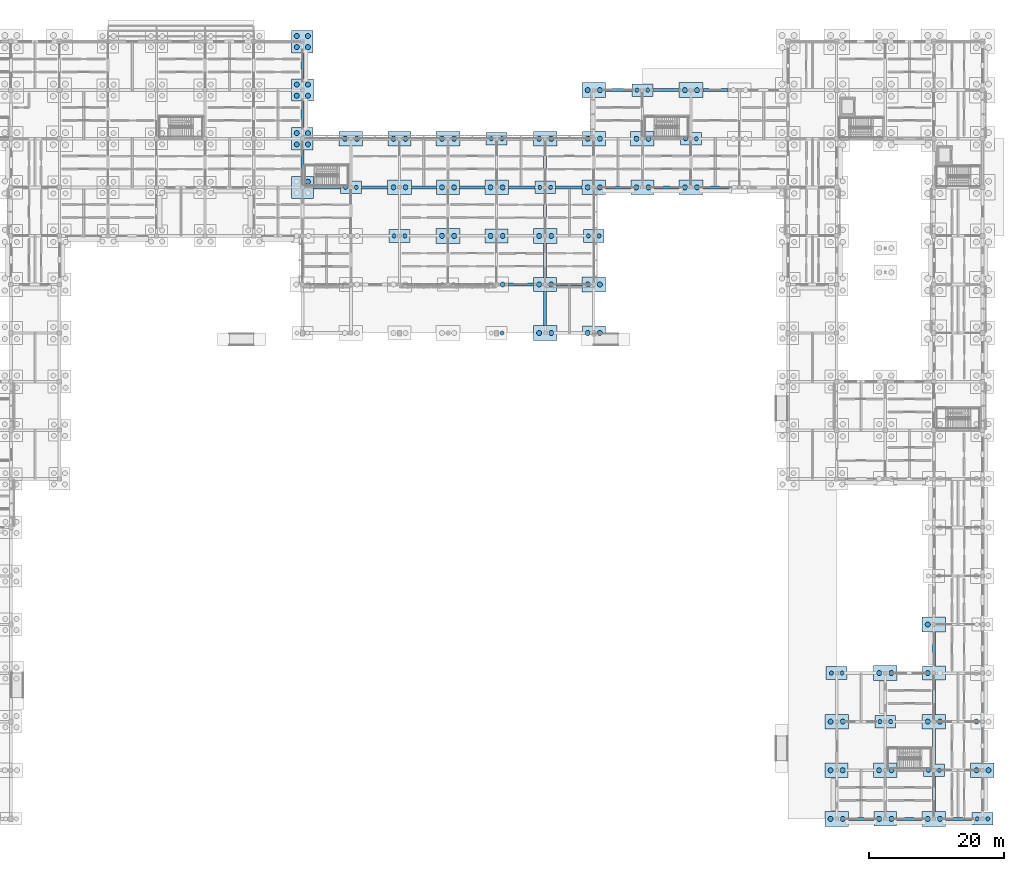
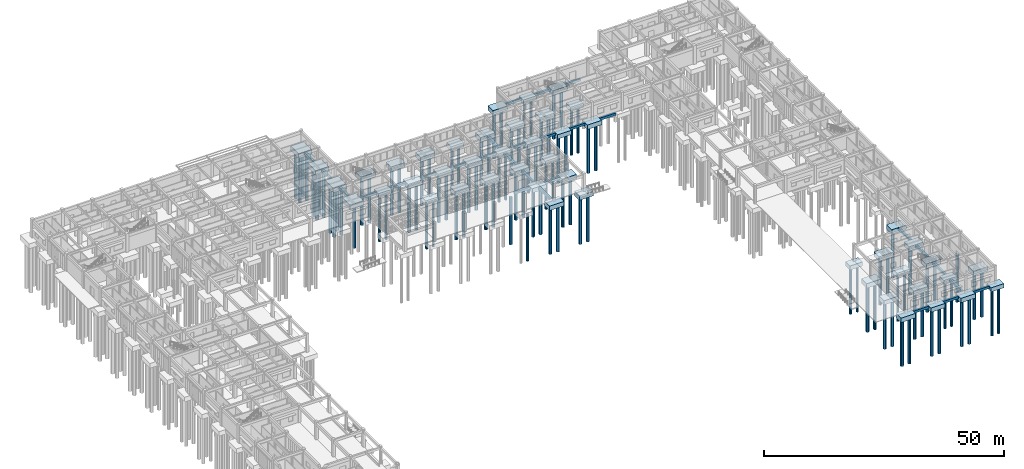
# One storey, part 4 of 111: 100 piles, 75 footings.
"""IFC4 building model written with IfcOpenShell, lengths in metres."""

from ifc_helpers import new_model, si_unit, direction, frame, origin, origin_2d, place, context, subcontext, project, spatial, rectangle, circle, extrude, material, layer, layer_set, material_profile, profile_set, type_object, element, save


model = new_model("IFC4")

# Units and contexts
model_context = context("Model", 3, precision=1e-05, world=origin(), true_north=direction((0.0, 1.0)))
body_context = subcontext(model_context, "Body", "Model", "MODEL_VIEW")
ifc_project = project(units=[si_unit("LENGTHUNIT", "METRE"), si_unit("AREAUNIT", "SQUARE_METRE"), si_unit("VOLUMEUNIT", "CUBIC_METRE"), si_unit("PLANEANGLEUNIT", "RADIAN"), si_unit("MASSUNIT", "GRAM", prefix="KILO")], contexts=[model_context])

# Site, building, storey
site_placement = place(None, origin())
site = spatial("IfcSite", under=ifc_project, at=site_placement, CompositionType="ELEMENT")
building_placement = place(site_placement, origin())
building = spatial("IfcBuilding", under=site, at=building_placement, Name="Aldebral Square Health Centre", CompositionType="ELEMENT")
storey_placement = place(building_placement, origin())
storey = spatial("IfcBuildingStorey", under=building, at=storey_placement, Name="L00", CompositionType="ELEMENT", Elevation=0.0)

# Footings
ifc_material = material(Name="Concrete C35/45", Category="concrete")
ifc_layer_1 = layer(ifc_material, 1.14990234375, Name="Concrete C35/45", Category="concrete")
ifc_layer_set_1 = layer_set([ifc_layer_1], Name="Concrete C35/45")
footing_type_1 = type_object("IfcFootingType", Name="FT-PC2A", PredefinedType="PILE_CAP", material=ifc_layer_set_1)
for number, where, z_axis, x_axis, name in (
    (1, (72.0, 100.800048828125, -1.39990234375), (0.0, 0.0, 1.0), (1.0, 0.0, 0.0), "Pile cap PC7 at 11/15"),
    (2, (79.199951171875, 93.60009765625, -1.39990234375), (0.0, 0.0, 1.0), (1.0, 0.0, 0.0), "Pile cap PC7 at 12/14"),
    (3, (86.39990234375, 86.39990234375, -1.39990234375), (0.0, 0.0, 1.0), (1.0, 0.0, 0.0), "Pile cap PC7 at 13/13"),
    (4, (86.39990234375, 100.800048828125, -1.39990234375), (0.0, 0.0, 1.0), (1.0, 0.0, 0.0), "Pile cap PC7 at 13/15"),
    (5, (93.60009765625, 93.60009765625, -1.39990234375), (0.0, 0.0, 1.0), (1.0, 0.0, 0.0), "Pile cap PC7 at 14/14"),
    (6, (100.800048828125, 72.0, -1.39990234375), (0.0, 0.0, 1.0), (1.0, 0.0, 0.0), "Pile cap PC7 at 15/11"),
    (7, (100.800048828125, 86.39990234375, -1.39990234375), (0.0, 0.0, 1.0), (1.0, 0.0, 0.0), "Pile cap PC7 at 15/13"),
    (8, (100.800048828125, 100.800048828125, -1.39990234375), (0.0, 0.0, 1.0), (1.0, 0.0, 0.0), "Pile cap PC7 at 15/15"),
    (9, (108.0, 79.199951171875, -1.39990234375), (0.0, 0.0, 1.0), (1.0, 0.0, 0.0), "Pile cap PC7 at 16/12"),
    (10, (108.0, 93.60009765625, -1.39990234375), (0.0, 0.0, 1.0), (1.0, 0.0, 0.0), "Pile cap PC7 at 16/14"),
    (11, (108.0, 108.0, -1.39990234375), (0.0, 0.0, 1.0), (1.0, 0.0, 0.0), "Pile cap PC7 at 16/16"),
    (12, (115.199951171875, 100.800048828125, -1.39990234375), (0.0, 0.0, 1.0), (1.0, 0.0, 0.0), "Pile cap PC7 at 17/15"),
    (13, (122.39990234375, 93.60009765625, -1.39990234375), (0.0, 0.0, 1.0), (1.0, 0.0, 0.0), "Pile cap PC7 at 18/14"),
    (14, (122.39990234375, 108.0, -1.39990234375), (0.0, 0.0, 1.0), (1.0, 0.0, 0.0), "Pile cap PC7 at 18/16"),
    (15, (144.0, 0.0, -1.39990234375), (0.0, 0.0, 1.0), (1.0, 0.0, 0.0), "Pile cap PC7 at 21/1"),
    (16, (144.0, 14.39990234375, -1.39990234375), (0.0, 0.0, 1.0), (1.0, 0.0, 0.0), "Pile cap PC7 at 21/3"),
    (17, (151.199951171875, 7.199951171875, -1.39990234375), (0.0, 0.0, 1.0), (1.0, 0.0, 0.0), "Pile cap PC7 at 22/2"),
    (18, (151.199951171875, 21.60009765625, -1.39990234375), (0.0, 0.0, 1.0), (1.0, 0.0, 0.0), "Pile cap PC7 at 22/4"),
    (19, (158.39990234375, 0.0, -1.39990234375), (0.0, 0.0, 1.0), (1.0, 0.0, 0.0), "Pile cap PC7 at 23/1"),
    (20, (158.39990234375, 14.39990234375, -1.39990234375), (0.0, 0.0, 1.0), (1.0, 0.0, 0.0), "Pile cap PC7 at 23/3"),
    (21, (158.39990234375, 28.800048828125, -1.39990234375), (0.0, 0.0, 1.0), (1.0, 0.0, 0.0), "Pile cap PC7 at 23/5"),
    (22, (165.60009765625, 7.199951171875, -1.39990234375), (0.0, 0.0, 1.0), (1.0, 0.0, 0.0), "Pile cap PC7 at 24/2"),
):
    element("IfcFooting", number, at=place(storey_placement, frame(where, z_axis=z_axis, x_axis=x_axis)), inside=storey, type_object=footing_type_1, Name=name, PredefinedType="PILE_CAP", context=body_context, shape_type="SweptSolid", body=[
        extrude(rectangle(XDim=3.5, YDim=2.199951171875, at=origin_2d()), origin(), (0.0, 0.0, 1.0), 1.14990234375),
    ])
ifc_layer_2 = layer(ifc_material, 1.10009765625, Name="Concrete C35/45", Category="concrete")
ifc_layer_set_2 = layer_set([ifc_layer_2], Name="Concrete C35/45")
footing_type_2 = type_object("IfcFootingType", Name="FT-PC2B", PredefinedType="PILE_CAP", material=ifc_layer_set_2)
for number, where, z_axis, x_axis, name in (
    (23, (79.199951171875, 100.800048828125, -1.35009765625), (0.0, 0.0, 1.0), (1.0, 0.0, 0.0), "Pile cap PC8 at 12/15"),
    (24, (86.39990234375, 93.60009765625, -1.35009765625), (0.0, 0.0, 1.0), (1.0, 0.0, 0.0), "Pile cap PC8 at 13/14"),
    (25, (93.60009765625, 86.39990234375, -1.35009765625), (0.0, 0.0, 1.0), (1.0, 0.0, 0.0), "Pile cap PC8 at 14/13"),
    (26, (100.800048828125, 79.199951171875, -1.35009765625), (0.0, 0.0, 1.0), (1.0, 0.0, 0.0), "Pile cap PC8 at 15/12"),
    (27, (108.0, 72.0, -1.35009765625), (0.0, 0.0, 1.0), (1.0, 0.0, 0.0), "Pile cap PC8 at 16/11"),
    (28, (108.0, 100.800048828125, -1.35009765625), (0.0, 0.0, 1.0), (1.0, 0.0, 0.0), "Pile cap PC8 at 16/15"),
    (29, (115.199951171875, 93.60009765625, -1.35009765625), (0.0, 0.0, 1.0), (1.0, 0.0, 0.0), "Pile cap PC8 at 17/14"),
    (30, (144.0, 7.199951171875, -1.35009765625), (0.0, 0.0, 1.0), (1.0, 0.0, 0.0), "Pile cap PC8 at 21/2"),
    (31, (151.199951171875, 0.0, -1.35009765625), (0.0, 0.0, 1.0), (1.0, 0.0, 0.0), "Pile cap PC8 at 22/1"),
    (32, (158.39990234375, 21.60009765625, -1.35009765625), (0.0, 0.0, 1.0), (1.0, 0.0, 0.0), "Pile cap PC8 at 23/4"),
):
    element("IfcFooting", number, at=place(storey_placement, frame(where, z_axis=z_axis, x_axis=x_axis)), inside=storey, type_object=footing_type_2, Name=name, PredefinedType="PILE_CAP", context=body_context, shape_type="SweptSolid", body=[
        extrude(rectangle(XDim=3.39990234375, YDim=2.10009765625, at=origin_2d()), origin(), (0.0, 0.0, 1.0), 1.10009765625),
    ])
ifc_layer_3 = layer(ifc_material, 1.050048828125, Name="Concrete C35/45", Category="concrete")
ifc_layer_set_3 = layer_set([ifc_layer_3], Name="Concrete C35/45")
footing_type_3 = type_object("IfcFootingType", Name="FT-PC2D", PredefinedType="PILE_CAP", material=ifc_layer_set_3)
for number, where, z_axis, x_axis, name in (
    (33, (72.0, 93.60009765625, -1.2998046875), (0.0, 0.0, 1.0), (1.0, 0.0, 0.0), "Pile cap PC10 at 11/14"),
    (34, (79.199951171875, 86.39990234375, -1.2998046875), (0.0, 0.0, 1.0), (1.0, 0.0, 0.0), "Pile cap PC10 at 12/13"),
    (35, (93.60009765625, 100.800048828125, -1.2998046875), (0.0, 0.0, 1.0), (1.0, 0.0, 0.0), "Pile cap PC10 at 14/15"),
    (36, (100.800048828125, 93.60009765625, -1.2998046875), (0.0, 0.0, 1.0), (1.0, 0.0, 0.0), "Pile cap PC10 at 15/14"),
    (37, (108.0, 86.39990234375, -1.2998046875), (0.0, 0.0, 1.0), (1.0, 0.0, 0.0), "Pile cap PC10 at 16/13"),
    (38, (115.199951171875, 108.0, -1.2998046875), (0.0, 0.0, 1.0), (1.0, 0.0, 0.0), "Pile cap PC10 at 17/16"),
    (39, (122.39990234375, 100.800048828125, -1.2998046875), (0.0, 0.0, 1.0), (1.0, 0.0, 0.0), "Pile cap PC10 at 18/15"),
    (40, (144.0, 21.60009765625, -1.2998046875), (0.0, 0.0, 1.0), (1.0, 0.0, 0.0), "Pile cap PC10 at 21/4"),
    (41, (151.199951171875, 14.39990234375, -1.2998046875), (0.0, 0.0, 1.0), (1.0, 0.0, 0.0), "Pile cap PC10 at 22/3"),
    (42, (158.39990234375, 7.199951171875, -1.2998046875), (0.0, 0.0, 1.0), (1.0, 0.0, 0.0), "Pile cap PC10 at 23/2"),
    (43, (165.60009765625, 0.0, -1.2998046875), (0.0, 0.0, 1.0), (1.0, 0.0, 0.0), "Pile cap PC10 at 24/1"),
):
    element("IfcFooting", number, at=place(storey_placement, frame(where, z_axis=z_axis, x_axis=x_axis)), inside=storey, type_object=footing_type_3, Name=name, PredefinedType="PILE_CAP", context=body_context, shape_type="SweptSolid", body=[
        extrude(rectangle(XDim=3.10009765625, YDim=1.89990234375, at=origin_2d()), origin(), (0.0, 0.0, 1.0), 1.050048828125),
    ])
ifc_layer_4 = layer(ifc_material, 1.14990234375, Name="Concrete C35/45", Category="concrete")
ifc_layer_set_4 = layer_set([ifc_layer_4], Name="Concrete C35/45")
footing_type_4 = type_object("IfcFootingType", Name="FT-PC4E", PredefinedType="PILE_CAP", material=ifc_layer_set_4)
for number, where, z_axis, x_axis, name in (
    (44, (64.800048828125, 93.60009765625, -1.39990234375), (0.0, 0.0, 1.0), (1.0, 0.0, 0.0), "Pile cap PC5 at 10/14"),
    (45, (64.800048828125, 108.0, -1.39990234375), (0.0, 0.0, 1.0), (1.0, 0.0, 0.0), "Pile cap PC5 at 10/16"),
):
    element("IfcFooting", number, at=place(storey_placement, frame(where, z_axis=z_axis, x_axis=x_axis)), inside=storey, type_object=footing_type_4, Name=name, PredefinedType="PILE_CAP", context=body_context, shape_type="SweptSolid", body=[
        extrude(rectangle(XDim=3.25, YDim=3.25, at=origin_2d()), origin(), (0.0, 0.0, 1.0), 1.14990234375),
    ])
ifc_layer_5 = layer(ifc_material, 1.14990234375, Name="Concrete C35/45", Category="concrete")
ifc_layer_set_5 = layer_set([ifc_layer_5], Name="Concrete C35/45")
footing_type_5 = type_object("IfcFootingType", Name="FT-PC4F", PredefinedType="PILE_CAP", material=ifc_layer_set_5)
for number, where, z_axis, x_axis, name in (
    (46, (64.800048828125, 100.800048828125, -1.39990234375), (0.0, 0.0, 1.0), (1.0, 0.0, 0.0), "Pile cap PC6 at 10/15"),
    (47, (64.800048828125, 115.199951171875, -1.39990234375), (0.0, 0.0, 1.0), (1.0, 0.0, 0.0), "Pile cap PC6 at 10/17"),
):
    element("IfcFooting", number, at=place(storey_placement, frame(where, z_axis=z_axis, x_axis=x_axis)), inside=storey, type_object=footing_type_5, Name=name, PredefinedType="PILE_CAP", context=body_context, shape_type="SweptSolid", body=[
        extrude(rectangle(XDim=3.14990234375, YDim=3.35009765625, at=origin_2d()), origin(), (0.0, 0.0, 1.0), 1.14990234375),
    ])
ifc_material_profile_1 = material_profile(ifc_material, rectangle(XDim=0.449951171875, YDim=0.60009765625, at=origin_2d()), Name="RC 450x600")
ifc_profile_set_1 = profile_set([ifc_material_profile_1], Name="Concrete C35/45")
footing_type_6 = type_object("IfcFootingType", Name="FT-TB1", PredefinedType="FOOTING_BEAM", material=ifc_profile_set_1)
footing_1_placement = place(storey_placement, frame((66.425048828125, 93.60009765625, -0.550048828125), z_axis=(1.0, 0.0, 0.0), x_axis=(0.0, 1.0, 0.0)))
element("IfcFooting", 48, at=footing_1_placement, inside=storey, type_object=footing_type_6, Name="Ground tie beam X 10-14", PredefinedType="FOOTING_BEAM", context=body_context, shape_type="SweptSolid", body=[
    extrude(rectangle(XDim=0.449951171875, YDim=0.60009765625, at=origin_2d()), origin(), (0.0, 0.0, 1.0), 4.02490234375),
])
for number, where, z_axis, x_axis, name in (
    (49, (64.800048828125, 95.22509765625, -0.550048828125), (0.0, 1.0, 0.0), (-1.0, 0.0, 0.0), "Ground tie beam Y 10-14"),
    (50, (64.800048828125, 102.47509765625, -0.550048828125), (0.0, 1.0, 0.0), (-1.0, 0.0, 0.0), "Ground tie beam Y 10-15"),
    (51, (64.800048828125, 109.625, -0.550048828125), (0.0, 1.0, 0.0), (-1.0, 0.0, 0.0), "Ground tie beam Y 10-16"),
    (52, (73.550048828125, 93.60009765625, -0.550048828125), (1.0, 0.0, 0.0), (0.0, 1.0, 0.0), "Ground tie beam X 11-14"),
):
    element("IfcFooting", number, at=place(storey_placement, frame(where, z_axis=z_axis, x_axis=x_axis)), inside=storey, type_object=footing_type_6, Name=name, PredefinedType="FOOTING_BEAM", context=body_context, shape_type="SweptSolid", body=[
        extrude(rectangle(XDim=0.449951171875, YDim=0.60009765625, at=origin_2d()), origin(), (0.0, 0.0, 1.0), 3.89990234375),
    ])
for number, where, z_axis, x_axis, name in (
    (53, (80.949951171875, 93.60009765625, -0.550048828125), (1.0, 0.0, 0.0), (0.0, 1.0, 0.0), "Ground tie beam X 12-14"),
    (54, (88.10009765625, 93.60009765625, -0.550048828125), (1.0, 0.0, 0.0), (0.0, 1.0, 0.0), "Ground tie beam X 13-14"),
    (55, (95.35009765625, 79.199951171875, -0.550048828125), (1.0, 0.0, 0.0), (0.0, 1.0, 0.0), "Ground tie beam X 14-12"),
):
    element("IfcFooting", number, at=place(storey_placement, frame(where, z_axis=z_axis, x_axis=x_axis)), inside=storey, type_object=footing_type_6, Name=name, PredefinedType="FOOTING_BEAM", context=body_context, shape_type="SweptSolid", body=[
        extrude(rectangle(XDim=0.449951171875, YDim=0.60009765625, at=origin_2d()), origin(), (0.0, 0.0, 1.0), 3.75),
    ])
footing_2_placement = place(storey_placement, frame((95.35009765625, 93.60009765625, -0.550048828125), z_axis=(1.0, 0.0, 0.0), x_axis=(0.0, 1.0, 0.0)))
element("IfcFooting", 56, at=footing_2_placement, inside=storey, type_object=footing_type_6, Name="Ground tie beam X 14-14", PredefinedType="FOOTING_BEAM", context=body_context, shape_type="SweptSolid", body=[
    extrude(rectangle(XDim=0.449951171875, YDim=0.60009765625, at=origin_2d()), origin(), (0.0, 0.0, 1.0), 3.89990234375),
])
footing_3_placement = place(storey_placement, frame((100.800048828125, 73.10009765625, -0.550048828125), z_axis=(0.0, 1.0, 0.0), x_axis=(-1.0, 0.0, 0.0)))
element("IfcFooting", 57, at=footing_3_placement, inside=storey, type_object=footing_type_6, Name="Ground tie beam Y 15-11", PredefinedType="FOOTING_BEAM", context=body_context, shape_type="SweptSolid", body=[
    extrude(rectangle(XDim=0.449951171875, YDim=0.60009765625, at=origin_2d()), origin(), (0.0, 0.0, 1.0), 5.0498046875),
])
footing_4_placement = place(storey_placement, frame((102.5, 79.199951171875, -0.550048828125), z_axis=(1.0, 0.0, 0.0), x_axis=(0.0, 1.0, 0.0)))
element("IfcFooting", 58, at=footing_4_placement, inside=storey, type_object=footing_type_6, Name="Ground tie beam X 15-12", PredefinedType="FOOTING_BEAM", context=body_context, shape_type="SweptSolid", body=[
    extrude(rectangle(XDim=0.449951171875, YDim=0.60009765625, at=origin_2d()), origin(), (0.0, 0.0, 1.0), 3.75),
])
footing_5_placement = place(storey_placement, frame((100.800048828125, 80.25, -0.550048828125), z_axis=(0.0, 1.0, 0.0), x_axis=(-1.0, 0.0, 0.0)))
element("IfcFooting", 59, at=footing_5_placement, inside=storey, type_object=footing_type_6, Name="Ground tie beam Y 15-12", PredefinedType="FOOTING_BEAM", context=body_context, shape_type="SweptSolid", body=[
    extrude(rectangle(XDim=0.449951171875, YDim=0.60009765625, at=origin_2d()), origin(), (0.0, 0.0, 1.0), 5.050048828125),
])
footing_6_placement = place(storey_placement, frame((100.800048828125, 87.5, -0.550048828125), z_axis=(0.0, 1.0, 0.0), x_axis=(-1.0, 0.0, 0.0)))
element("IfcFooting", 60, at=footing_6_placement, inside=storey, type_object=footing_type_6, Name="Ground tie beam Y 15-13", PredefinedType="FOOTING_BEAM", context=body_context, shape_type="SweptSolid", body=[
    extrude(rectangle(XDim=0.449951171875, YDim=0.60009765625, at=origin_2d()), origin(), (0.0, 0.0, 1.0), 5.14990234375),
])
footing_7_placement = place(storey_placement, frame((102.35009765625, 93.60009765625, -0.550048828125), z_axis=(1.0, 0.0, 0.0), x_axis=(0.0, 1.0, 0.0)))
element("IfcFooting", 61, at=footing_7_placement, inside=storey, type_object=footing_type_6, Name="Ground tie beam X 15-14", PredefinedType="FOOTING_BEAM", context=body_context, shape_type="SweptSolid", body=[
    extrude(rectangle(XDim=0.449951171875, YDim=0.60009765625, at=origin_2d()), origin(), (0.0, 0.0, 1.0), 3.89990234375),
])
footing_8_placement = place(storey_placement, frame((100.800048828125, 94.550048828125, -0.550048828125), z_axis=(0.0, 1.0, 0.0), x_axis=(-1.0, 0.0, 0.0)))
element("IfcFooting", 62, at=footing_8_placement, inside=storey, type_object=footing_type_6, Name="Ground tie beam Y 15-14", PredefinedType="FOOTING_BEAM", context=body_context, shape_type="SweptSolid", body=[
    extrude(rectangle(XDim=0.449951171875, YDim=0.60009765625, at=origin_2d()), origin(), (0.0, 0.0, 1.0), 5.14990234375),
])
footing_9_placement = place(storey_placement, frame((109.75, 93.60009765625, -0.550048828125), z_axis=(1.0, 0.0, 0.0), x_axis=(0.0, 1.0, 0.0)))
element("IfcFooting", 63, at=footing_9_placement, inside=storey, type_object=footing_type_6, Name="Ground tie beam X 16-14", PredefinedType="FOOTING_BEAM", context=body_context, shape_type="SweptSolid", body=[
    extrude(rectangle(XDim=0.449951171875, YDim=0.60009765625, at=origin_2d()), origin(), (0.0, 0.0, 1.0), 3.75),
])
footing_10_placement = place(storey_placement, frame((109.75, 108.0, -0.550048828125), z_axis=(1.0, 0.0, 0.0), x_axis=(0.0, 1.0, 0.0)))
element("IfcFooting", 64, at=footing_10_placement, inside=storey, type_object=footing_type_6, Name="Ground tie beam X 16-16", PredefinedType="FOOTING_BEAM", context=body_context, shape_type="SweptSolid", body=[
    extrude(rectangle(XDim=0.449951171875, YDim=0.60009765625, at=origin_2d()), origin(), (0.0, 0.0, 1.0), 3.89990234375),
])
footing_11_placement = place(storey_placement, frame((116.89990234375, 93.60009765625, -0.550048828125), z_axis=(1.0, 0.0, 0.0), x_axis=(0.0, 1.0, 0.0)))
element("IfcFooting", 65, at=footing_11_placement, inside=storey, type_object=footing_type_6, Name="Ground tie beam X 17-14", PredefinedType="FOOTING_BEAM", context=body_context, shape_type="SweptSolid", body=[
    extrude(rectangle(XDim=0.449951171875, YDim=0.60009765625, at=origin_2d()), origin(), (0.0, 0.0, 1.0), 3.75),
])
footing_12_placement = place(storey_placement, frame((116.75, 108.0, -0.550048828125), z_axis=(1.0, 0.0, 0.0), x_axis=(0.0, 1.0, 0.0)))
element("IfcFooting", 66, at=footing_12_placement, inside=storey, type_object=footing_type_6, Name="Ground tie beam X 17-16", PredefinedType="FOOTING_BEAM", context=body_context, shape_type="SweptSolid", body=[
    extrude(rectangle(XDim=0.449951171875, YDim=0.60009765625, at=origin_2d()), origin(), (0.0, 0.0, 1.0), 3.89990234375),
])
footing_13_placement = place(storey_placement, frame((124.14990234375, 93.60009765625, -0.550048828125), z_axis=(1.0, 0.0, 0.0), x_axis=(0.0, 1.0, 0.0)))
element("IfcFooting", 67, at=footing_13_placement, inside=storey, type_object=footing_type_6, Name="Ground tie beam X 18-14", PredefinedType="FOOTING_BEAM", context=body_context, shape_type="SweptSolid", body=[
    extrude(rectangle(XDim=0.449951171875, YDim=0.60009765625, at=origin_2d()), origin(), (0.0, 0.0, 1.0), 3.900146484375),
])
for number, where, z_axis, x_axis, name in (
    (68, (124.14990234375, 108.0, -0.550048828125), (1.0, 0.0, 0.0), (0.0, 1.0, 0.0), "Ground tie beam X 18-16"),
    (69, (145.75, 0.0, -0.550048828125), (1.0, 0.0, 0.0), (0.0, 1.0, 0.0), "Ground tie beam X 21-1"),
    (70, (152.89990234375, 0.0, -0.550048828125), (1.0, 0.0, 0.0), (0.0, 1.0, 0.0), "Ground tie beam X 22-1"),
):
    element("IfcFooting", number, at=place(storey_placement, frame(where, z_axis=z_axis, x_axis=x_axis)), inside=storey, type_object=footing_type_6, Name=name, PredefinedType="FOOTING_BEAM", context=body_context, shape_type="SweptSolid", body=[
        extrude(rectangle(XDim=0.449951171875, YDim=0.60009765625, at=origin_2d()), origin(), (0.0, 0.0, 1.0), 3.75),
    ])
footing_14_placement = place(storey_placement, frame((160.14990234375, 0.0, -0.550048828125), z_axis=(1.0, 0.0, 0.0), x_axis=(0.0, 1.0, 0.0)))
element("IfcFooting", 71, at=footing_14_placement, inside=storey, type_object=footing_type_6, Name="Ground tie beam X 23-1", PredefinedType="FOOTING_BEAM", context=body_context, shape_type="SweptSolid", body=[
    extrude(rectangle(XDim=0.449951171875, YDim=0.60009765625, at=origin_2d()), origin(), (0.0, 0.0, 1.0), 3.900146484375),
])
footing_15_placement = place(storey_placement, frame((158.39990234375, 1.10009765625, -0.550048828125), z_axis=(0.0, 1.0, 0.0), x_axis=(-1.0, 0.0, 0.0)))
element("IfcFooting", 72, at=footing_15_placement, inside=storey, type_object=footing_type_6, Name="Ground tie beam Y 23-1", PredefinedType="FOOTING_BEAM", context=body_context, shape_type="SweptSolid", body=[
    extrude(rectangle(XDim=0.449951171875, YDim=0.60009765625, at=origin_2d()), origin(), (0.0, 0.0, 1.0), 5.14990234375),
])
footing_16_placement = place(storey_placement, frame((158.39990234375, 8.14990234375, -0.550048828125), z_axis=(0.0, 1.0, 0.0), x_axis=(-1.0, 0.0, 0.0)))
element("IfcFooting", 73, at=footing_16_placement, inside=storey, type_object=footing_type_6, Name="Ground tie beam Y 23-2", PredefinedType="FOOTING_BEAM", context=body_context, shape_type="SweptSolid", body=[
    extrude(rectangle(XDim=0.449951171875, YDim=0.60009765625, at=origin_2d()), origin(), (0.0, 0.0, 1.0), 5.150146484375),
])
for number, where, z_axis, x_axis, name in (
    (74, (158.39990234375, 15.5, -0.550048828125), (0.0, 1.0, 0.0), (-1.0, 0.0, 0.0), "Ground tie beam Y 23-3"),
    (75, (158.39990234375, 22.64990234375, -0.550048828125), (0.0, 1.0, 0.0), (-1.0, 0.0, 0.0), "Ground tie beam Y 23-4"),
):
    element("IfcFooting", number, at=place(storey_placement, frame(where, z_axis=z_axis, x_axis=x_axis)), inside=storey, type_object=footing_type_6, Name=name, PredefinedType="FOOTING_BEAM", context=body_context, shape_type="SweptSolid", body=[
        extrude(rectangle(XDim=0.449951171875, YDim=0.60009765625, at=origin_2d()), origin(), (0.0, 0.0, 1.0), 5.050048828125),
    ])

# Piles
ifc_material_profile_2 = material_profile(ifc_material, circle(Radius=0.300048828125, at=origin_2d()), Name="PILE D600")
ifc_profile_set_2 = profile_set([ifc_material_profile_2], Name="Concrete C35/45")
pile_type_1 = type_object("IfcPileType", Name="PL-600", PredefinedType="BORED", material=ifc_profile_set_2)
for number, where, z_axis, x_axis, name in (
    (76, (71.199951171875, 93.60009765625, -1.199951171875), (0.0, 0.0, -1.0), (1.0, 0.0, 0.0), "Bored pile 11-14-1"),
    (77, (72.800048828125, 93.60009765625, -1.199951171875), (0.0, 0.0, -1.0), (1.0, 0.0, 0.0), "Bored pile 11-14-2"),
    (78, (78.39990234375, 86.39990234375, -1.199951171875), (0.0, 0.0, -1.0), (1.0, 0.0, 0.0), "Bored pile 12-13-1"),
    (79, (80.0, 86.39990234375, -1.199951171875), (0.0, 0.0, -1.0), (1.0, 0.0, 0.0), "Bored pile 12-13-2"),
    (80, (94.39990234375, 72.0, -1.199951171875), (0.0, 0.0, -1.0), (1.0, 0.0, 0.0), "Bored pile 14-11-2"),
    (81, (92.800048828125, 100.800048828125, -1.199951171875), (0.0, 0.0, -1.0), (1.0, 0.0, 0.0), "Bored pile 14-15-1"),
    (82, (94.39990234375, 100.800048828125, -1.199951171875), (0.0, 0.0, -1.0), (1.0, 0.0, 0.0), "Bored pile 14-15-2"),
    (83, (100.0, 93.60009765625, -1.199951171875), (0.0, 0.0, -1.0), (1.0, 0.0, 0.0), "Bored pile 15-14-1"),
    (84, (101.60009765625, 93.60009765625, -1.199951171875), (0.0, 0.0, -1.0), (1.0, 0.0, 0.0), "Bored pile 15-14-2"),
    (85, (107.199951171875, 86.39990234375, -1.199951171875), (0.0, 0.0, -1.0), (1.0, 0.0, 0.0), "Bored pile 16-13-1"),
    (86, (108.800048828125, 86.39990234375, -1.199951171875), (0.0, 0.0, -1.0), (1.0, 0.0, 0.0), "Bored pile 16-13-2"),
    (87, (114.39990234375, 108.0, -1.199951171875), (0.0, 0.0, -1.0), (1.0, 0.0, 0.0), "Bored pile 17-16-1"),
    (88, (116.0, 108.0, -1.199951171875), (0.0, 0.0, -1.0), (1.0, 0.0, 0.0), "Bored pile 17-16-2"),
    (89, (121.60009765625, 100.800048828125, -1.199951171875), (0.0, 0.0, -1.0), (1.0, 0.0, 0.0), "Bored pile 18-15-1"),
    (90, (123.199951171875, 100.800048828125, -1.199951171875), (0.0, 0.0, -1.0), (1.0, 0.0, 0.0), "Bored pile 18-15-2"),
    (91, (143.199951171875, 21.60009765625, -1.199951171875), (0.0, 0.0, -1.0), (1.0, 0.0, 0.0), "Bored pile 21-4-1"),
    (92, (144.800048828125, 21.60009765625, -1.199951171875), (0.0, 0.0, -1.0), (1.0, 0.0, 0.0), "Bored pile 21-4-2"),
    (93, (150.39990234375, 14.39990234375, -1.199951171875), (0.0, 0.0, -1.0), (1.0, 0.0, 0.0), "Bored pile 22-3-1"),
    (94, (152.0, 14.39990234375, -1.199951171875), (0.0, 0.0, -1.0), (1.0, 0.0, 0.0), "Bored pile 22-3-2"),
    (95, (157.60009765625, 7.199951171875, -1.199951171875), (0.0, 0.0, -1.0), (1.0, 0.0, 0.0), "Bored pile 23-2-1"),
    (96, (159.199951171875, 7.199951171875, -1.199951171875), (0.0, 0.0, -1.0), (1.0, 0.0, 0.0), "Bored pile 23-2-2"),
    (97, (164.800048828125, 0.0, -1.199951171875), (0.0, 0.0, -1.0), (1.0, 0.0, 0.0), "Bored pile 24-1-1"),
    (98, (166.39990234375, 0.0, -1.199951171875), (0.0, 0.0, -1.0), (1.0, 0.0, 0.0), "Bored pile 24-1-2"),
):
    element("IfcPile", number, at=place(storey_placement, frame(where, z_axis=z_axis, x_axis=x_axis)), inside=storey, type_object=pile_type_1, Name=name, PredefinedType="BORED", context=body_context, shape_type="SweptSolid", body=[
        extrude(circle(Radius=0.300048828125, at=origin_2d()), origin(), (0.0, 0.0, 1.0), 12.0),
    ])
ifc_material_profile_3 = material_profile(ifc_material, circle(Radius=0.375, at=origin_2d()), Name="PILE D750")
ifc_profile_set_3 = profile_set([ifc_material_profile_3], Name="Concrete C35/45")
pile_type_2 = type_object("IfcPileType", Name="PL-750", PredefinedType="BORED", material=ifc_profile_set_3)
for number, where, z_axis, x_axis, name in (
    (99, (65.625, 94.425048828125, -1.300048828125), (0.0, 0.0, -1.0), (1.0, 0.0, 0.0), "Bored pile 10-14-4"),
    (100, (63.97509765625, 99.97509765625, -1.300048828125), (0.0, 0.0, -1.0), (1.0, 0.0, 0.0), "Bored pile 10-15-1"),
    (101, (65.625, 99.97509765625, -1.300048828125), (0.0, 0.0, -1.0), (1.0, 0.0, 0.0), "Bored pile 10-15-2"),
    (102, (63.97509765625, 101.625, -1.300048828125), (0.0, 0.0, -1.0), (1.0, 0.0, 0.0), "Bored pile 10-15-3"),
    (103, (65.625, 101.625, -1.300048828125), (0.0, 0.0, -1.0), (1.0, 0.0, 0.0), "Bored pile 10-15-4"),
    (104, (63.97509765625, 107.175048828125, -1.300048828125), (0.0, 0.0, -1.0), (1.0, 0.0, 0.0), "Bored pile 10-16-1"),
    (105, (65.625, 107.175048828125, -1.300048828125), (0.0, 0.0, -1.0), (1.0, 0.0, 0.0), "Bored pile 10-16-2"),
    (106, (63.97509765625, 108.824951171875, -1.300048828125), (0.0, 0.0, -1.0), (1.0, 0.0, 0.0), "Bored pile 10-16-3"),
    (107, (65.625, 108.824951171875, -1.300048828125), (0.0, 0.0, -1.0), (1.0, 0.0, 0.0), "Bored pile 10-16-4"),
    (108, (63.97509765625, 114.375, -1.300048828125), (0.0, 0.0, -1.0), (1.0, 0.0, 0.0), "Bored pile 10-17-1"),
    (109, (65.625, 114.375, -1.300048828125), (0.0, 0.0, -1.0), (1.0, 0.0, 0.0), "Bored pile 10-17-2"),
    (110, (63.97509765625, 116.02490234375, -1.300048828125), (0.0, 0.0, -1.0), (1.0, 0.0, 0.0), "Bored pile 10-17-3"),
    (111, (65.625, 116.02490234375, -1.300048828125), (0.0, 0.0, -1.0), (1.0, 0.0, 0.0), "Bored pile 10-17-4"),
    (112, (71.10009765625, 100.800048828125, -1.300048828125), (0.0, 0.0, -1.0), (1.0, 0.0, 0.0), "Bored pile 11-15-1"),
    (113, (72.89990234375, 100.800048828125, -1.300048828125), (0.0, 0.0, -1.0), (1.0, 0.0, 0.0), "Bored pile 11-15-2"),
    (114, (78.300048828125, 93.60009765625, -1.300048828125), (0.0, 0.0, -1.0), (1.0, 0.0, 0.0), "Bored pile 12-14-1"),
    (115, (80.10009765625, 93.60009765625, -1.300048828125), (0.0, 0.0, -1.0), (1.0, 0.0, 0.0), "Bored pile 12-14-2"),
    (116, (78.300048828125, 100.800048828125, -1.25), (0.0, 0.0, -1.0), (1.0, 0.0, 0.0), "Bored pile 12-15-1"),
    (117, (80.10009765625, 100.800048828125, -1.25), (0.0, 0.0, -1.0), (1.0, 0.0, 0.0), "Bored pile 12-15-2"),
    (118, (85.5, 86.39990234375, -1.300048828125), (0.0, 0.0, -1.0), (1.0, 0.0, 0.0), "Bored pile 13-13-1"),
    (119, (87.300048828125, 86.39990234375, -1.300048828125), (0.0, 0.0, -1.0), (1.0, 0.0, 0.0), "Bored pile 13-13-2"),
    (120, (85.5, 93.60009765625, -1.25), (0.0, 0.0, -1.0), (1.0, 0.0, 0.0), "Bored pile 13-14-1"),
    (121, (87.300048828125, 93.60009765625, -1.25), (0.0, 0.0, -1.0), (1.0, 0.0, 0.0), "Bored pile 13-14-2"),
    (122, (85.5, 100.800048828125, -1.300048828125), (0.0, 0.0, -1.0), (1.0, 0.0, 0.0), "Bored pile 13-15-1"),
    (123, (87.300048828125, 100.800048828125, -1.300048828125), (0.0, 0.0, -1.0), (1.0, 0.0, 0.0), "Bored pile 13-15-2"),
    (124, (94.5, 79.199951171875, -1.300048828125), (0.0, 0.0, -1.0), (1.0, 0.0, 0.0), "Bored pile 14-12-2"),
    (125, (92.699951171875, 86.39990234375, -1.25), (0.0, 0.0, -1.0), (1.0, 0.0, 0.0), "Bored pile 14-13-1"),
    (126, (94.5, 86.39990234375, -1.25), (0.0, 0.0, -1.0), (1.0, 0.0, 0.0), "Bored pile 14-13-2"),
    (127, (92.699951171875, 93.60009765625, -1.300048828125), (0.0, 0.0, -1.0), (1.0, 0.0, 0.0), "Bored pile 14-14-1"),
    (128, (94.5, 93.60009765625, -1.300048828125), (0.0, 0.0, -1.0), (1.0, 0.0, 0.0), "Bored pile 14-14-2"),
    (129, (99.89990234375, 72.0, -1.300048828125), (0.0, 0.0, -1.0), (1.0, 0.0, 0.0), "Bored pile 15-11-1"),
    (130, (101.699951171875, 72.0, -1.300048828125), (0.0, 0.0, -1.0), (1.0, 0.0, 0.0), "Bored pile 15-11-2"),
    (131, (99.89990234375, 79.199951171875, -1.25), (0.0, 0.0, -1.0), (1.0, 0.0, 0.0), "Bored pile 15-12-1"),
    (132, (101.699951171875, 79.199951171875, -1.25), (0.0, 0.0, -1.0), (1.0, 0.0, 0.0), "Bored pile 15-12-2"),
    (133, (99.89990234375, 86.39990234375, -1.300048828125), (0.0, 0.0, -1.0), (1.0, 0.0, 0.0), "Bored pile 15-13-1"),
    (134, (101.699951171875, 86.39990234375, -1.300048828125), (0.0, 0.0, -1.0), (1.0, 0.0, 0.0), "Bored pile 15-13-2"),
    (135, (99.89990234375, 100.800048828125, -1.300048828125), (0.0, 0.0, -1.0), (1.0, 0.0, 0.0), "Bored pile 15-15-1"),
    (136, (101.699951171875, 100.800048828125, -1.300048828125), (0.0, 0.0, -1.0), (1.0, 0.0, 0.0), "Bored pile 15-15-2"),
    (137, (107.10009765625, 72.0, -1.25), (0.0, 0.0, -1.0), (1.0, 0.0, 0.0), "Bored pile 16-11-1"),
    (138, (108.89990234375, 72.0, -1.25), (0.0, 0.0, -1.0), (1.0, 0.0, 0.0), "Bored pile 16-11-2"),
    (139, (107.10009765625, 79.199951171875, -1.300048828125), (0.0, 0.0, -1.0), (1.0, 0.0, 0.0), "Bored pile 16-12-1"),
    (140, (108.89990234375, 79.199951171875, -1.300048828125), (0.0, 0.0, -1.0), (1.0, 0.0, 0.0), "Bored pile 16-12-2"),
    (141, (107.10009765625, 93.60009765625, -1.300048828125), (0.0, 0.0, -1.0), (1.0, 0.0, 0.0), "Bored pile 16-14-1"),
    (142, (108.89990234375, 93.60009765625, -1.300048828125), (0.0, 0.0, -1.0), (1.0, 0.0, 0.0), "Bored pile 16-14-2"),
    (143, (107.10009765625, 100.800048828125, -1.25), (0.0, 0.0, -1.0), (1.0, 0.0, 0.0), "Bored pile 16-15-1"),
    (144, (108.89990234375, 100.800048828125, -1.25), (0.0, 0.0, -1.0), (1.0, 0.0, 0.0), "Bored pile 16-15-2"),
    (145, (107.10009765625, 108.0, -1.300048828125), (0.0, 0.0, -1.0), (1.0, 0.0, 0.0), "Bored pile 16-16-1"),
    (146, (108.89990234375, 108.0, -1.300048828125), (0.0, 0.0, -1.0), (1.0, 0.0, 0.0), "Bored pile 16-16-2"),
    (147, (114.300048828125, 93.60009765625, -1.25), (0.0, 0.0, -1.0), (1.0, 0.0, 0.0), "Bored pile 17-14-1"),
    (148, (116.10009765625, 93.60009765625, -1.25), (0.0, 0.0, -1.0), (1.0, 0.0, 0.0), "Bored pile 17-14-2"),
    (149, (114.300048828125, 100.800048828125, -1.300048828125), (0.0, 0.0, -1.0), (1.0, 0.0, 0.0), "Bored pile 17-15-1"),
    (150, (116.10009765625, 100.800048828125, -1.300048828125), (0.0, 0.0, -1.0), (1.0, 0.0, 0.0), "Bored pile 17-15-2"),
    (151, (121.5, 93.60009765625, -1.300048828125), (0.0, 0.0, -1.0), (1.0, 0.0, 0.0), "Bored pile 18-14-1"),
    (152, (123.300048828125, 93.60009765625, -1.300048828125), (0.0, 0.0, -1.0), (1.0, 0.0, 0.0), "Bored pile 18-14-2"),
    (153, (121.5, 108.0, -1.300048828125), (0.0, 0.0, -1.0), (1.0, 0.0, 0.0), "Bored pile 18-16-1"),
    (154, (123.300048828125, 108.0, -1.300048828125), (0.0, 0.0, -1.0), (1.0, 0.0, 0.0), "Bored pile 18-16-2"),
    (155, (143.10009765625, 0.0, -1.300048828125), (0.0, 0.0, -1.0), (1.0, 0.0, 0.0), "Bored pile 21-1-1"),
    (156, (144.89990234375, 0.0, -1.300048828125), (0.0, 0.0, -1.0), (1.0, 0.0, 0.0), "Bored pile 21-1-2"),
    (157, (143.10009765625, 7.199951171875, -1.25), (0.0, 0.0, -1.0), (1.0, 0.0, 0.0), "Bored pile 21-2-1"),
    (158, (144.89990234375, 7.199951171875, -1.25), (0.0, 0.0, -1.0), (1.0, 0.0, 0.0), "Bored pile 21-2-2"),
    (159, (143.10009765625, 14.39990234375, -1.300048828125), (0.0, 0.0, -1.0), (1.0, 0.0, 0.0), "Bored pile 21-3-1"),
    (160, (144.89990234375, 14.39990234375, -1.300048828125), (0.0, 0.0, -1.0), (1.0, 0.0, 0.0), "Bored pile 21-3-2"),
    (161, (150.300048828125, 0.0, -1.25), (0.0, 0.0, -1.0), (1.0, 0.0, 0.0), "Bored pile 22-1-1"),
    (162, (152.10009765625, 0.0, -1.25), (0.0, 0.0, -1.0), (1.0, 0.0, 0.0), "Bored pile 22-1-2"),
    (163, (150.300048828125, 7.199951171875, -1.300048828125), (0.0, 0.0, -1.0), (1.0, 0.0, 0.0), "Bored pile 22-2-1"),
    (164, (152.10009765625, 7.199951171875, -1.300048828125), (0.0, 0.0, -1.0), (1.0, 0.0, 0.0), "Bored pile 22-2-2"),
    (165, (150.300048828125, 21.60009765625, -1.300048828125), (0.0, 0.0, -1.0), (1.0, 0.0, 0.0), "Bored pile 22-4-1"),
    (166, (152.10009765625, 21.60009765625, -1.300048828125), (0.0, 0.0, -1.0), (1.0, 0.0, 0.0), "Bored pile 22-4-2"),
    (167, (157.5, 0.0, -1.300048828125), (0.0, 0.0, -1.0), (1.0, 0.0, 0.0), "Bored pile 23-1-1"),
    (168, (159.300048828125, 0.0, -1.300048828125), (0.0, 0.0, -1.0), (1.0, 0.0, 0.0), "Bored pile 23-1-2"),
    (169, (157.5, 14.39990234375, -1.300048828125), (0.0, 0.0, -1.0), (1.0, 0.0, 0.0), "Bored pile 23-3-1"),
    (170, (159.300048828125, 14.39990234375, -1.300048828125), (0.0, 0.0, -1.0), (1.0, 0.0, 0.0), "Bored pile 23-3-2"),
    (171, (157.5, 21.60009765625, -1.25), (0.0, 0.0, -1.0), (1.0, 0.0, 0.0), "Bored pile 23-4-1"),
    (172, (157.5, 28.800048828125, -1.300048828125), (0.0, 0.0, -1.0), (1.0, 0.0, 0.0), "Bored pile 23-5-1"),
    (173, (164.699951171875, 7.199951171875, -1.300048828125), (0.0, 0.0, -1.0), (1.0, 0.0, 0.0), "Bored pile 24-2-1"),
    (174, (166.5, 7.199951171875, -1.300048828125), (0.0, 0.0, -1.0), (1.0, 0.0, 0.0), "Bored pile 24-2-2"),
    (175, (164.699951171875, 14.39990234375, -1.25), (0.0, 0.0, -1.0), (1.0, 0.0, 0.0), "Bored pile 24-3-1"),
):
    element("IfcPile", number, at=place(storey_placement, frame(where, z_axis=z_axis, x_axis=x_axis)), inside=storey, type_object=pile_type_2, Name=name, PredefinedType="BORED", context=body_context, shape_type="SweptSolid", body=[
        extrude(circle(Radius=0.375, at=origin_2d()), origin(), (0.0, 0.0, 1.0), 12.0),
    ])

save(model, "model.ifc")
